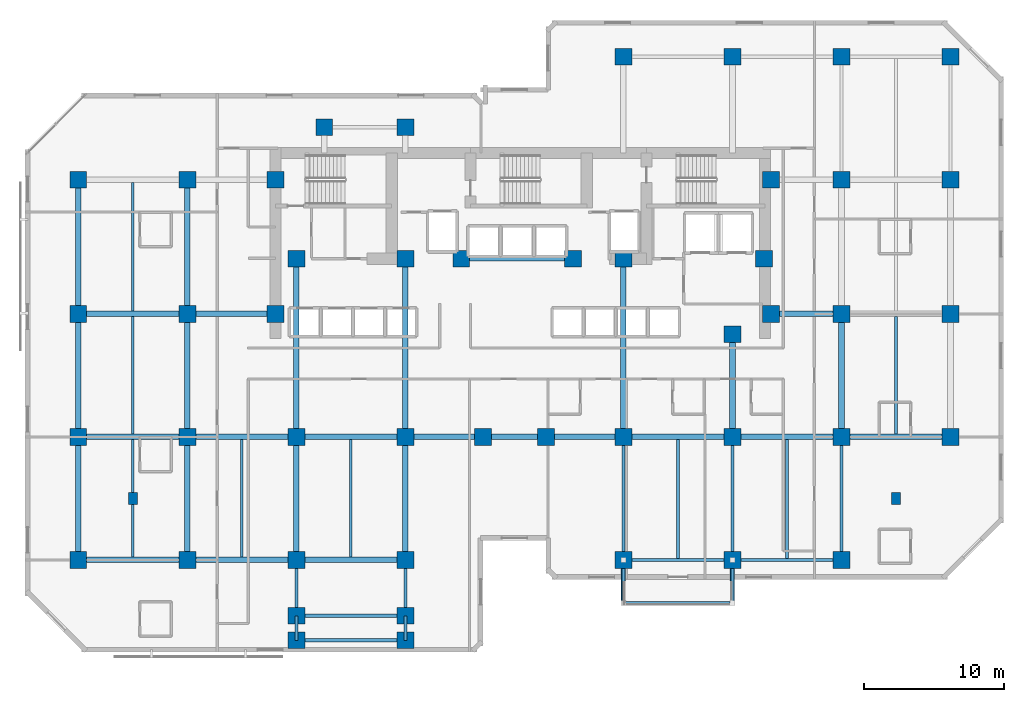
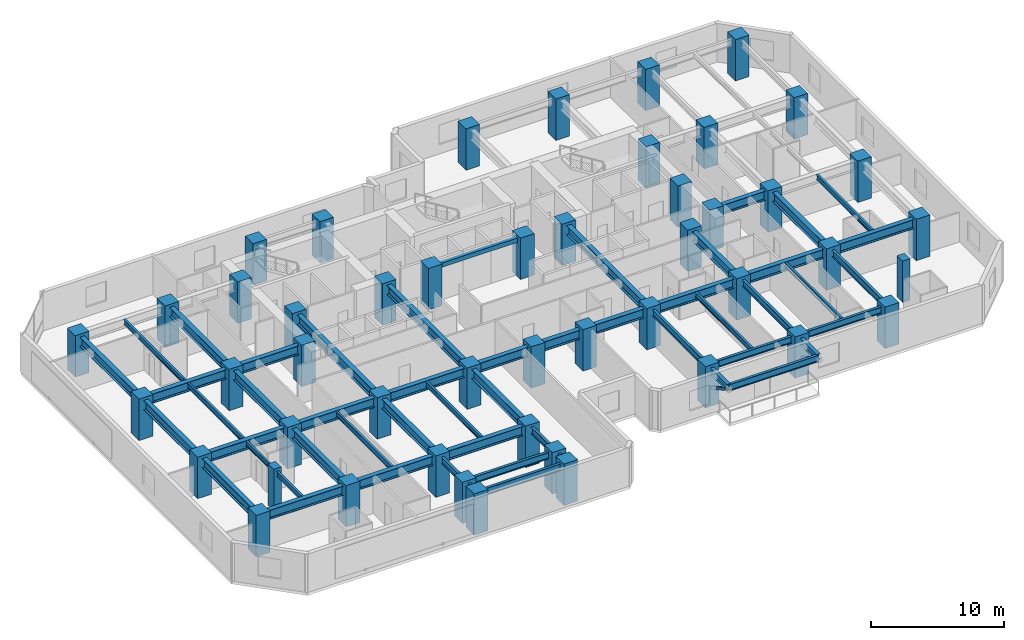
# One storey, part 1 of 12: 51 beams, 48 columns, 2 members.
"""IFC4 building model written with IfcOpenShell, lengths in metres."""

from ifc_helpers import new_model, si_unit, direction, frame, origin, origin_2d, place, context, subcontext, project, spatial, rectangle, hollow_rectangle, i_section, extrude, material, material_profile, profile_set, type_object, element, save


model = new_model("IFC4")

# Units and contexts
model_context = context("Model", 3, precision=1e-05, world=origin(), true_north=direction((0.0, 1.0)))
body_context = subcontext(model_context, "Body", "Model", "MODEL_VIEW")
ifc_project = project(units=[si_unit("LENGTHUNIT", "METRE"), si_unit("AREAUNIT", "SQUARE_METRE"), si_unit("VOLUMEUNIT", "CUBIC_METRE"), si_unit("PLANEANGLEUNIT", "RADIAN"), si_unit("MASSUNIT", "GRAM", prefix="KILO")], contexts=[model_context])

# Site, building, storey
site_placement = place(None, origin())
site = spatial("IfcSite", under=ifc_project, at=site_placement, CompositionType="ELEMENT")
building_placement = place(site_placement, origin())
building = spatial("IfcBuilding", under=site, at=building_placement, Name="Kestravale Grand Hotel", CompositionType="ELEMENT")
storey_placement = place(building_placement, frame((0.0, 0.0, 118.39990234375)))
storey = spatial("IfcBuildingStorey", under=building, at=storey_placement, Name="L29", CompositionType="ELEMENT", Elevation=118.39990234375)

# Columns
ifc_material_1 = material(Name="Precast concrete f'c 45 MPa", Category="concrete")
ifc_material_profile_1 = material_profile(ifc_material_1, rectangle(XDim=0.64990234375, YDim=0.85009765625, at=origin_2d()))
ifc_profile_set_1 = profile_set([ifc_material_profile_1], Name="Precast concrete f'c 45 MPa")
column_type_1 = type_object("IfcColumnType", Name="C-Z1-PIL850", PredefinedType="PILASTER", material=ifc_profile_set_1)
for number, where, z_axis, x_axis, name in (
    (1, (11.699951171875, 15.60009765625, 0.0), (0.0, 0.0, 1.0), (1.0, 0.0, 0.0), "L29 Art Deco fluted pilaster P1"),
    (2, (66.300048828125, 15.60009765625, 0.0), (0.0, 0.0, 1.0), (1.0, 0.0, 0.0), "L29 Art Deco fluted pilaster P2"),
):
    element("IfcColumn", number, at=place(storey_placement, frame(where, z_axis=z_axis, x_axis=x_axis)), inside=storey, type_object=column_type_1, Name=name, PredefinedType="PILASTER", context=body_context, shape_type="SweptSolid", body=[
        extrude(rectangle(XDim=0.64990234375, YDim=0.85009765625, at=origin_2d()), origin(), (0.0, 0.0, 1.0), 3.800048828125),
    ])
ifc_material_2 = material(Name="Concrete f'c 60 MPa", Category="concrete")
ifc_material_profile_2 = material_profile(ifc_material_2, rectangle(XDim=1.199951171875, YDim=1.199951171875, at=origin_2d()))
ifc_profile_set_2 = profile_set([ifc_material_profile_2], Name="Concrete f'c 60 MPa")
column_type_2 = type_object("IfcColumnType", Name="C-Z2-1200", PredefinedType="COLUMN", material=ifc_profile_set_2)
for number, where, z_axis, x_axis, name in (
    (3, (7.800048828125, 11.199951171875, 0.0), (0.0, 0.0, 1.0), (1.0, 0.0, 0.0), "L29 column 2-C"),
    (4, (7.800048828125, 20.0, 0.0), (0.0, 0.0, 1.0), (1.0, 0.0, 0.0), "L29 column 2-D"),
    (5, (7.800048828125, 28.800048828125, 0.0), (0.0, 0.0, 1.0), (1.0, 0.0, 0.0), "L29 column 2-E"),
    (6, (7.800048828125, 38.39990234375, 0.0), (0.0, 0.0, 1.0), (1.0, 0.0, 0.0), "L29 column 2-F"),
    (7, (15.60009765625, 11.199951171875, 0.0), (0.0, 0.0, 1.0), (1.0, 0.0, 0.0), "L29 column 3-C"),
    (8, (15.60009765625, 20.0, 0.0), (0.0, 0.0, 1.0), (1.0, 0.0, 0.0), "L29 column 3-D"),
    (9, (15.60009765625, 28.800048828125, 0.0), (0.0, 0.0, 1.0), (1.0, 0.0, 0.0), "L29 column 3-E"),
    (10, (15.60009765625, 38.39990234375, 0.0), (0.0, 0.0, 1.0), (1.0, 0.0, 0.0), "L29 column 3-F"),
    (11, (23.39990234375, 11.199951171875, 0.0), (0.0, 0.0, 1.0), (1.0, 0.0, 0.0), "L29 column 4-C"),
    (12, (23.39990234375, 20.0, 0.0), (0.0, 0.0, 1.0), (1.0, 0.0, 0.0), "L29 column 4-D"),
    (13, (31.199951171875, 11.199951171875, 0.0), (0.0, 0.0, 1.0), (1.0, 0.0, 0.0), "L29 column 5-C"),
    (14, (31.199951171875, 20.0, 0.0), (0.0, 0.0, 1.0), (1.0, 0.0, 0.0), "L29 column 5-D"),
    (15, (36.75, 20.0, 0.0), (0.0, 0.0, 1.0), (1.0, 0.0, 0.0), "L29 column 6-D"),
    (16, (41.25, 20.0, 0.0), (0.0, 0.0, 1.0), (1.0, 0.0, 0.0), "L29 column 7-D"),
    (17, (46.800048828125, 11.199951171875, 0.0), (0.0, 0.0, 1.0), (1.0, 0.0, 0.0), "L29 column 8-C"),
    (18, (46.800048828125, 20.0, 0.0), (0.0, 0.0, 1.0), (1.0, 0.0, 0.0), "L29 column 8-D"),
    (19, (46.800048828125, 47.199951171875, 0.0), (0.0, 0.0, 1.0), (1.0, 0.0, 0.0), "L29 column 8-G"),
    (20, (54.60009765625, 11.199951171875, 0.0), (0.0, 0.0, 1.0), (1.0, 0.0, 0.0), "L29 column 9-C"),
    (21, (54.60009765625, 20.0, 0.0), (0.0, 0.0, 1.0), (1.0, 0.0, 0.0), "L29 column 9-D"),
    (22, (54.60009765625, 47.199951171875, 0.0), (0.0, 0.0, 1.0), (1.0, 0.0, 0.0), "L29 column 9-G"),
    (23, (62.39990234375, 11.199951171875, 0.0), (0.0, 0.0, 1.0), (1.0, 0.0, 0.0), "L29 column 10-C"),
    (24, (62.39990234375, 20.0, 0.0), (0.0, 0.0, 1.0), (1.0, 0.0, 0.0), "L29 column 10-D"),
    (25, (62.39990234375, 28.800048828125, 0.0), (0.0, 0.0, 1.0), (1.0, 0.0, 0.0), "L29 column 10-E"),
    (26, (62.39990234375, 38.39990234375, 0.0), (0.0, 0.0, 1.0), (1.0, 0.0, 0.0), "L29 column 10-F"),
    (27, (62.39990234375, 47.199951171875, 0.0), (0.0, 0.0, 1.0), (1.0, 0.0, 0.0), "L29 column 10-G"),
    (28, (70.199951171875, 20.0, 0.0), (0.0, 0.0, 1.0), (1.0, 0.0, 0.0), "L29 column 11-D"),
    (29, (70.199951171875, 28.800048828125, 0.0), (0.0, 0.0, 1.0), (1.0, 0.0, 0.0), "L29 column 11-E"),
    (30, (70.199951171875, 38.39990234375, 0.0), (0.0, 0.0, 1.0), (1.0, 0.0, 0.0), "L29 column 11-F"),
    (31, (70.199951171875, 47.199951171875, 0.0), (0.0, 0.0, 1.0), (1.0, 0.0, 0.0), "L29 column 11-G"),
    (32, (21.89990234375, 28.800048828125, 0.0), (0.0, 0.0, 1.0), (1.0, 0.0, 0.0), "L29 column CW-E"),
    (33, (21.89990234375, 38.39990234375, 0.0), (0.0, 0.0, 1.0), (1.0, 0.0, 0.0), "L29 column CW-F"),
    (34, (57.35009765625, 28.800048828125, 0.0), (0.0, 0.0, 1.0), (1.0, 0.0, 0.0), "L29 column CE-E"),
    (35, (57.35009765625, 38.39990234375, 0.0), (0.0, 0.0, 1.0), (1.0, 0.0, 0.0), "L29 column CE-F"),
    (36, (23.39990234375, 32.75, 0.0), (0.0, 0.0, 1.0), (1.0, 0.0, 0.0), "L29 column 4-CS"),
    (37, (31.199951171875, 32.75, 0.0), (0.0, 0.0, 1.0), (1.0, 0.0, 0.0), "L29 column 5-CS"),
    (38, (35.199951171875, 32.75, 0.0), (0.0, 0.0, 1.0), (1.0, 0.0, 0.0), "L29 column 6C-CS"),
    (39, (43.199951171875, 32.75, 0.0), (0.0, 0.0, 1.0), (1.0, 0.0, 0.0), "L29 column 7C-CS"),
    (40, (46.800048828125, 32.75, 0.0), (0.0, 0.0, 1.0), (1.0, 0.0, 0.0), "L29 column 8-CS"),
    (41, (54.60009765625, 27.35009765625, 0.0), (0.0, 0.0, 1.0), (1.0, 0.0, 0.0), "L29 column 9-CS"),
    (42, (56.85009765625, 32.75, 0.0), (0.0, 0.0, 1.0), (1.0, 0.0, 0.0), "L29 column 9C-CS"),
    (43, (23.39990234375, 7.199951171875, 0.0), (0.0, 0.0, 1.0), (1.0, 0.0, 0.0), "L29 column 4-BS"),
    (44, (31.199951171875, 7.199951171875, 0.0), (0.0, 0.0, 1.0), (1.0, 0.0, 0.0), "L29 column 5-BS"),
    (45, (25.39990234375, 42.14990234375, 0.0), (0.0, 0.0, 1.0), (1.0, 0.0, 0.0), "L29 column 4-FN"),
    (46, (31.199951171875, 42.14990234375, 0.0), (0.0, 0.0, 1.0), (1.0, 0.0, 0.0), "L29 column 5-FN"),
    (47, (23.39990234375, 5.449951171875, 0.0), (0.0, 0.0, 1.0), (1.0, 0.0, 0.0), "L29 column 4-B1S"),
    (48, (31.199951171875, 5.449951171875, 0.0), (0.0, 0.0, 1.0), (1.0, 0.0, 0.0), "L29 column 5-B1S"),
):
    element("IfcColumn", number, at=place(storey_placement, frame(where, z_axis=z_axis, x_axis=x_axis)), inside=storey, type_object=column_type_2, Name=name, PredefinedType="COLUMN", context=body_context, shape_type="SweptSolid", body=[
        extrude(rectangle(XDim=1.199951171875, YDim=1.199951171875, at=origin_2d()), origin(), (0.0, 0.0, 1.0), 3.800048828125),
    ])

# Beams
ifc_material_3 = material(Name="Steel ASTM A992 Grade 50", Category="steel")
ifc_material_profile_3 = material_profile(ifc_material_3, i_section(OverallWidth=0.19091796875, OverallDepth=0.45703125, WebThickness=0.009033203125, FlangeThickness=0.014404296875, FilletRadius=0.015380859375, at=origin_2d()))
ifc_profile_set_3 = profile_set([ifc_material_profile_3], Name="Steel ASTM A992 Grade 50")
beam_type_1 = type_object("IfcBeamType", Name="B-FLR-JST18", PredefinedType="JOIST", material=ifc_profile_set_3)
for number, where, z_axis, x_axis, name in (
    (49, (11.699951171875, 11.400390625, 3.3115234375), (0.0, 1.0, 0.0), (-1.0, 0.0, 0.0), "L29 floor joist 2-3/C-D #1"),
    (50, (11.699951171875, 20.200439453125, 3.3115234375), (0.0, 1.0, 0.0), (-1.0, 0.0, 0.0), "L29 floor joist 2-3/D-E #1"),
):
    element("IfcBeam", number, at=place(storey_placement, frame(where, z_axis=z_axis, x_axis=x_axis)), inside=storey, type_object=beam_type_1, Name=name, PredefinedType="JOIST", context=body_context, shape_type="SweptSolid", body=[
        extrude(i_section(OverallWidth=0.19091796875, OverallDepth=0.45703125, WebThickness=0.009033203125, FlangeThickness=0.014404296875, FilletRadius=0.015380859375, at=origin_2d()), origin(), (0.0, 0.0, 1.0), 8.399169921875),
    ])
beam_1_placement = place(storey_placement, frame((11.699951171875, 29.00048828125, 3.3115234375), z_axis=(0.0, 1.0, 0.0), x_axis=(-1.0, 0.0, 0.0)))
element("IfcBeam", 51, at=beam_1_placement, inside=storey, type_object=beam_type_1, Name="L29 floor joist 2-3/E-F #1", PredefinedType="JOIST", context=body_context, shape_type="SweptSolid", body=[
    extrude(i_section(OverallWidth=0.19091796875, OverallDepth=0.45703125, WebThickness=0.009033203125, FlangeThickness=0.014404296875, FilletRadius=0.015380859375, at=origin_2d()), origin(), (0.0, 0.0, 1.0), 9.198974609375),
])
for number, where, z_axis, x_axis, name in (
    (52, (19.5, 11.400390625, 3.3115234375), (0.0, 1.0, 0.0), (-1.0, 0.0, 0.0), "L29 floor joist 3-4/C-D #1"),
    (53, (27.300048828125, 11.400390625, 3.3115234375), (0.0, 1.0, 0.0), (-1.0, 0.0, 0.0), "L29 floor joist 4-5/C-D #1"),
):
    element("IfcBeam", number, at=place(storey_placement, frame(where, z_axis=z_axis, x_axis=x_axis)), inside=storey, type_object=beam_type_1, Name=name, PredefinedType="JOIST", context=body_context, shape_type="SweptSolid", body=[
        extrude(i_section(OverallWidth=0.19091796875, OverallDepth=0.45703125, WebThickness=0.009033203125, FlangeThickness=0.014404296875, FilletRadius=0.015380859375, at=origin_2d()), origin(), (0.0, 0.0, 1.0), 8.399169921875),
    ])
for number, where, z_axis, x_axis, name in (
    (54, (50.699951171875, 11.314453125, 3.3115234375), (0.0, 1.0, 0.0), (-1.0, 0.0, 0.0), "L29 floor joist 8-9/C-D #1"),
    (55, (58.5, 11.314453125, 3.3115234375), (0.0, 1.0, 0.0), (-1.0, 0.0, 0.0), "L29 floor joist 9-10/C-D #1"),
):
    element("IfcBeam", number, at=place(storey_placement, frame(where, z_axis=z_axis, x_axis=x_axis)), inside=storey, type_object=beam_type_1, Name=name, PredefinedType="JOIST", context=body_context, shape_type="SweptSolid", body=[
        extrude(i_section(OverallWidth=0.19091796875, OverallDepth=0.45703125, WebThickness=0.009033203125, FlangeThickness=0.014404296875, FilletRadius=0.015380859375, at=origin_2d()), origin(), (0.0, 0.0, 1.0), 8.485107421875),
    ])
beam_2_placement = place(storey_placement, frame((66.300048828125, 20.200439453125, 3.3115234375), z_axis=(0.0, 1.0, 0.0), x_axis=(-1.0, 0.0, 0.0)))
element("IfcBeam", 56, at=beam_2_placement, inside=storey, type_object=beam_type_1, Name="L29 floor joist 10-11/D-E #1", PredefinedType="JOIST", context=body_context, shape_type="SweptSolid", body=[
    extrude(i_section(OverallWidth=0.19091796875, OverallDepth=0.45703125, WebThickness=0.009033203125, FlangeThickness=0.014404296875, FilletRadius=0.015380859375, at=origin_2d()), origin(), (0.0, 0.0, 1.0), 8.399169921875),
])
ifc_material_4 = material(Name="Concrete f'c 45 MPa", Category="concrete")
ifc_material_profile_4 = material_profile(ifc_material_4, rectangle(XDim=0.300048828125, YDim=0.39990234375, at=origin_2d()))
ifc_profile_set_4 = profile_set([ifc_material_profile_4], Name="Concrete f'c 45 MPa")
beam_type_2 = type_object("IfcBeamType", Name="B-FLR-LNT400", PredefinedType="LINTEL", material=ifc_profile_set_4)
beam_3_placement = place(storey_placement, frame((35.199951171875, 32.75, 3.340087890625), z_axis=(1.0, 0.0, 0.0), x_axis=(0.0, 1.0, 0.0)))
element("IfcBeam", 57, at=beam_3_placement, inside=storey, type_object=beam_type_2, Name="L29 core portal header lintel", PredefinedType="LINTEL", context=body_context, shape_type="SweptSolid", body=[
    extrude(rectangle(XDim=0.300048828125, YDim=0.39990234375, at=origin_2d()), origin(), (0.0, 0.0, 1.0), 8.0),
])
ifc_material_5 = material(Name="Steel ASTM A992 Grade 50", Category="steel")
ifc_material_profile_5 = material_profile(ifc_material_5, i_section(OverallWidth=0.324951171875, OverallDepth=0.612060546875, WebThickness=0.0126953125, FlangeThickness=0.01904296875, FilletRadius=0.018798828125, at=origin_2d()))
ifc_profile_set_5 = profile_set([ifc_material_profile_5], Name="Steel ASTM A992 Grade 50")
beam_type_3 = type_object("IfcBeamType", Name="B-FLR-W24A", PredefinedType="SPANDREL", material=ifc_profile_set_5)
for number, where, z_axis, x_axis, name in (
    (58, (46.800048828125, 11.199951171875, 3.22412109375), (0.0, -1.0, 0.0), (1.0, 0.0, 0.0), "L30 terrace cantilever beam 1"),
    (59, (54.60009765625, 11.199951171875, 3.22412109375), (0.0, -1.0, 0.0), (1.0, 0.0, 0.0), "L30 terrace cantilever beam 2"),
):
    element("IfcBeam", number, at=place(storey_placement, frame(where, z_axis=z_axis, x_axis=x_axis)), inside=storey, type_object=beam_type_3, Name=name, PredefinedType="SPANDREL", context=body_context, shape_type="SweptSolid", body=[
        extrude(i_section(OverallWidth=0.324951171875, OverallDepth=0.612060546875, WebThickness=0.0126953125, FlangeThickness=0.01904296875, FilletRadius=0.018798828125, at=origin_2d()), origin(), (0.0, 0.0, 1.0), 3.099853515625),
    ])
ifc_material_6 = material(Name="Steel ASTM A992 Grade 50", Category="steel")
ifc_material_profile_6 = material_profile(ifc_material_6, i_section(OverallWidth=0.22900390625, OverallDepth=0.612060546875, WebThickness=0.011962890625, FlangeThickness=0.01953125, FilletRadius=0.019287109375, at=origin_2d()))
ifc_profile_set_6 = profile_set([ifc_material_profile_6], Name="Steel ASTM A992 Grade 50")
beam_type_4 = type_object("IfcBeamType", Name="B-FLR-W24B", PredefinedType="SPANDREL", material=ifc_profile_set_6)
beam_4_placement = place(storey_placement, frame((46.800048828125, 11.199951171875, 3.234130859375), z_axis=(1.0, 0.0, 0.0), x_axis=(0.0, 1.0, 0.0)))
element("IfcBeam", 60, at=beam_4_placement, inside=storey, type_object=beam_type_4, Name="L29 spandrel C:8-9", PredefinedType="SPANDREL", context=body_context, shape_type="SweptSolid", body=[
    extrude(i_section(OverallWidth=0.22900390625, OverallDepth=0.612060546875, WebThickness=0.011962890625, FlangeThickness=0.01953125, FilletRadius=0.019287109375, at=origin_2d()), origin(), (0.0, 0.0, 1.0), 7.800048828125),
])
beam_5_placement = place(storey_placement, frame((54.60009765625, 11.199951171875, 3.234130859375), z_axis=(1.0, 0.0, 0.0), x_axis=(0.0, 1.0, 0.0)))
element("IfcBeam", 61, at=beam_5_placement, inside=storey, type_object=beam_type_4, Name="L29 spandrel C:9-10", PredefinedType="SPANDREL", context=body_context, shape_type="SweptSolid", body=[
    extrude(i_section(OverallWidth=0.22900390625, OverallDepth=0.612060546875, WebThickness=0.011962890625, FlangeThickness=0.01953125, FilletRadius=0.019287109375, at=origin_2d()), origin(), (0.0, 0.0, 1.0), 7.7998046875),
])
for number, where, z_axis, x_axis, name in (
    (62, (23.39990234375, 5.449951171875, 3.234130859375), (1.0, 0.0, 0.0), (0.0, 1.0, 0.0), "L29 perimeter tie spandrel B1S:4-5"),
    (63, (23.39990234375, 7.199951171875, 3.234130859375), (1.0, 0.0, 0.0), (0.0, 1.0, 0.0), "L29 perimeter tie spandrel BS:4-5"),
):
    element("IfcBeam", number, at=place(storey_placement, frame(where, z_axis=z_axis, x_axis=x_axis)), inside=storey, type_object=beam_type_4, Name=name, PredefinedType="SPANDREL", context=body_context, shape_type="SweptSolid", body=[
        extrude(i_section(OverallWidth=0.22900390625, OverallDepth=0.612060546875, WebThickness=0.011962890625, FlangeThickness=0.01953125, FilletRadius=0.019287109375, at=origin_2d()), origin(), (0.0, 0.0, 1.0), 7.800048828125),
    ])
beam_6_placement = place(storey_placement, frame((23.39990234375, 5.449951171875, 3.234130859375), z_axis=(0.0, 1.0, 0.0), x_axis=(-1.0, 0.0, 0.0)))
element("IfcBeam", 64, at=beam_6_placement, inside=storey, type_object=beam_type_4, Name="L29 spandrel 4:B1S-BS", PredefinedType="SPANDREL", context=body_context, shape_type="SweptSolid", body=[
    extrude(i_section(OverallWidth=0.22900390625, OverallDepth=0.612060546875, WebThickness=0.011962890625, FlangeThickness=0.01953125, FilletRadius=0.019287109375, at=origin_2d()), origin(), (0.0, 0.0, 1.0), 1.75),
])
beam_7_placement = place(storey_placement, frame((23.39990234375, 7.199951171875, 3.234130859375), z_axis=(0.0, 1.0, 0.0), x_axis=(-1.0, 0.0, 0.0)))
element("IfcBeam", 65, at=beam_7_placement, inside=storey, type_object=beam_type_4, Name="L29 spandrel 4:BS-C", PredefinedType="SPANDREL", context=body_context, shape_type="SweptSolid", body=[
    extrude(i_section(OverallWidth=0.22900390625, OverallDepth=0.612060546875, WebThickness=0.011962890625, FlangeThickness=0.01953125, FilletRadius=0.019287109375, at=origin_2d()), origin(), (0.0, 0.0, 1.0), 4.0),
])
beam_8_placement = place(storey_placement, frame((31.199951171875, 5.449951171875, 3.234130859375), z_axis=(0.0, 1.0, 0.0), x_axis=(-1.0, 0.0, 0.0)))
element("IfcBeam", 66, at=beam_8_placement, inside=storey, type_object=beam_type_4, Name="L29 spandrel 5:B1S-BS", PredefinedType="SPANDREL", context=body_context, shape_type="SweptSolid", body=[
    extrude(i_section(OverallWidth=0.22900390625, OverallDepth=0.612060546875, WebThickness=0.011962890625, FlangeThickness=0.01953125, FilletRadius=0.019287109375, at=origin_2d()), origin(), (0.0, 0.0, 1.0), 1.75),
])
beam_9_placement = place(storey_placement, frame((31.199951171875, 7.199951171875, 3.234130859375), z_axis=(0.0, 1.0, 0.0), x_axis=(-1.0, 0.0, 0.0)))
element("IfcBeam", 67, at=beam_9_placement, inside=storey, type_object=beam_type_4, Name="L29 spandrel 5:BS-C", PredefinedType="SPANDREL", context=body_context, shape_type="SweptSolid", body=[
    extrude(i_section(OverallWidth=0.22900390625, OverallDepth=0.612060546875, WebThickness=0.011962890625, FlangeThickness=0.01953125, FilletRadius=0.019287109375, at=origin_2d()), origin(), (0.0, 0.0, 1.0), 4.0),
])
for number, where, z_axis, x_axis, name in (
    (68, (46.800048828125, 11.199951171875, 3.234130859375), (0.0, 1.0, 0.0), (-1.0, 0.0, 0.0), "L29 spandrel 8:C-D"),
    (69, (54.60009765625, 11.199951171875, 3.234130859375), (0.0, 1.0, 0.0), (-1.0, 0.0, 0.0), "L29 spandrel 9:C-D"),
    (70, (62.39990234375, 11.199951171875, 3.234130859375), (0.0, 1.0, 0.0), (-1.0, 0.0, 0.0), "L29 spandrel 10:C-D"),
):
    element("IfcBeam", number, at=place(storey_placement, frame(where, z_axis=z_axis, x_axis=x_axis)), inside=storey, type_object=beam_type_4, Name=name, PredefinedType="SPANDREL", context=body_context, shape_type="SweptSolid", body=[
        extrude(i_section(OverallWidth=0.22900390625, OverallDepth=0.612060546875, WebThickness=0.011962890625, FlangeThickness=0.01953125, FilletRadius=0.019287109375, at=origin_2d()), origin(), (0.0, 0.0, 1.0), 8.800048828125),
    ])
beam_10_placement = place(storey_placement, frame((46.800048828125, 8.10009765625, 3.22412109375), z_axis=(1.0, 0.0, 0.0), x_axis=(0.0, 1.0, 0.0)))
element("IfcBeam", 71, at=beam_10_placement, inside=storey, type_object=beam_type_4, Name="L30 terrace edge spandrel", PredefinedType="SPANDREL", context=body_context, shape_type="SweptSolid", body=[
    extrude(i_section(OverallWidth=0.22900390625, OverallDepth=0.612060546875, WebThickness=0.011962890625, FlangeThickness=0.01953125, FilletRadius=0.019287109375, at=origin_2d()), origin(), (0.0, 0.0, 1.0), 7.800048828125),
])
ifc_material_7 = material(Name="Steel ASTM A992 Grade 50", Category="steel")
ifc_material_profile_7 = material_profile(ifc_material_7, i_section(OverallWidth=0.40087890625, OverallDepth=0.861083984375, WebThickness=0.019775390625, FlangeThickness=0.032470703125, FilletRadius=0.0234375, at=origin_2d()))
ifc_profile_set_7 = profile_set([ifc_material_profile_7], Name="Steel ASTM A992 Grade 50")
beam_type_5 = type_object("IfcBeamType", Name="B-GRD-W33", PredefinedType="BEAM", material=ifc_profile_set_7)
beam_11_placement = place(storey_placement, frame((7.800048828125, 11.199951171875, 3.109619140625), z_axis=(1.0, 0.0, 0.0), x_axis=(0.0, 1.0, 0.0)))
element("IfcBeam", 72, at=beam_11_placement, inside=storey, type_object=beam_type_5, Name="L29 girder C:2-3", PredefinedType="BEAM", context=body_context, shape_type="SweptSolid", body=[
    extrude(i_section(OverallWidth=0.40087890625, OverallDepth=0.861083984375, WebThickness=0.019775390625, FlangeThickness=0.032470703125, FilletRadius=0.0234375, at=origin_2d()), origin(), (0.0, 0.0, 1.0), 7.800048828125),
])
beam_12_placement = place(storey_placement, frame((15.60009765625, 11.199951171875, 3.109619140625), z_axis=(1.0, 0.0, 0.0), x_axis=(0.0, 1.0, 0.0)))
element("IfcBeam", 73, at=beam_12_placement, inside=storey, type_object=beam_type_5, Name="L29 girder C:3-4", PredefinedType="BEAM", context=body_context, shape_type="SweptSolid", body=[
    extrude(i_section(OverallWidth=0.40087890625, OverallDepth=0.861083984375, WebThickness=0.019775390625, FlangeThickness=0.032470703125, FilletRadius=0.0234375, at=origin_2d()), origin(), (0.0, 0.0, 1.0), 7.7998046875),
])
for number, where, z_axis, x_axis, name in (
    (74, (23.39990234375, 11.199951171875, 3.109619140625), (1.0, 0.0, 0.0), (0.0, 1.0, 0.0), "L29 girder C:4-5"),
    (75, (7.800048828125, 20.0, 3.109619140625), (1.0, 0.0, 0.0), (0.0, 1.0, 0.0), "L29 girder D:2-3"),
):
    element("IfcBeam", number, at=place(storey_placement, frame(where, z_axis=z_axis, x_axis=x_axis)), inside=storey, type_object=beam_type_5, Name=name, PredefinedType="BEAM", context=body_context, shape_type="SweptSolid", body=[
        extrude(i_section(OverallWidth=0.40087890625, OverallDepth=0.861083984375, WebThickness=0.019775390625, FlangeThickness=0.032470703125, FilletRadius=0.0234375, at=origin_2d()), origin(), (0.0, 0.0, 1.0), 7.800048828125),
    ])
beam_13_placement = place(storey_placement, frame((15.60009765625, 20.0, 3.109619140625), z_axis=(1.0, 0.0, 0.0), x_axis=(0.0, 1.0, 0.0)))
element("IfcBeam", 76, at=beam_13_placement, inside=storey, type_object=beam_type_5, Name="L29 girder D:3-4", PredefinedType="BEAM", context=body_context, shape_type="SweptSolid", body=[
    extrude(i_section(OverallWidth=0.40087890625, OverallDepth=0.861083984375, WebThickness=0.019775390625, FlangeThickness=0.032470703125, FilletRadius=0.0234375, at=origin_2d()), origin(), (0.0, 0.0, 1.0), 7.7998046875),
])
beam_14_placement = place(storey_placement, frame((23.39990234375, 20.0, 3.109619140625), z_axis=(1.0, 0.0, 0.0), x_axis=(0.0, 1.0, 0.0)))
element("IfcBeam", 77, at=beam_14_placement, inside=storey, type_object=beam_type_5, Name="L29 girder D:4-5", PredefinedType="BEAM", context=body_context, shape_type="SweptSolid", body=[
    extrude(i_section(OverallWidth=0.40087890625, OverallDepth=0.861083984375, WebThickness=0.019775390625, FlangeThickness=0.032470703125, FilletRadius=0.0234375, at=origin_2d()), origin(), (0.0, 0.0, 1.0), 7.800048828125),
])
beam_15_placement = place(storey_placement, frame((31.199951171875, 20.0, 3.109619140625), z_axis=(1.0, 0.0, 0.0), x_axis=(0.0, 1.0, 0.0)))
element("IfcBeam", 78, at=beam_15_placement, inside=storey, type_object=beam_type_5, Name="L29 girder D:5-6", PredefinedType="BEAM", context=body_context, shape_type="SweptSolid", body=[
    extrude(i_section(OverallWidth=0.40087890625, OverallDepth=0.861083984375, WebThickness=0.019775390625, FlangeThickness=0.032470703125, FilletRadius=0.0234375, at=origin_2d()), origin(), (0.0, 0.0, 1.0), 5.550048828125),
])
beam_16_placement = place(storey_placement, frame((36.75, 20.0, 3.109619140625), z_axis=(1.0, 0.0, 0.0), x_axis=(0.0, 1.0, 0.0)))
element("IfcBeam", 79, at=beam_16_placement, inside=storey, type_object=beam_type_5, Name="L29 girder D:6-7", PredefinedType="BEAM", context=body_context, shape_type="SweptSolid", body=[
    extrude(i_section(OverallWidth=0.40087890625, OverallDepth=0.861083984375, WebThickness=0.019775390625, FlangeThickness=0.032470703125, FilletRadius=0.0234375, at=origin_2d()), origin(), (0.0, 0.0, 1.0), 4.5),
])
beam_17_placement = place(storey_placement, frame((41.25, 20.0, 3.109619140625), z_axis=(1.0, 0.0, 0.0), x_axis=(0.0, 1.0, 0.0)))
element("IfcBeam", 80, at=beam_17_placement, inside=storey, type_object=beam_type_5, Name="L29 girder D:7-8", PredefinedType="BEAM", context=body_context, shape_type="SweptSolid", body=[
    extrude(i_section(OverallWidth=0.40087890625, OverallDepth=0.861083984375, WebThickness=0.019775390625, FlangeThickness=0.032470703125, FilletRadius=0.0234375, at=origin_2d()), origin(), (0.0, 0.0, 1.0), 5.550048828125),
])
beam_18_placement = place(storey_placement, frame((46.800048828125, 20.0, 3.109619140625), z_axis=(1.0, 0.0, 0.0), x_axis=(0.0, 1.0, 0.0)))
element("IfcBeam", 81, at=beam_18_placement, inside=storey, type_object=beam_type_5, Name="L29 girder D:8-9", PredefinedType="BEAM", context=body_context, shape_type="SweptSolid", body=[
    extrude(i_section(OverallWidth=0.40087890625, OverallDepth=0.861083984375, WebThickness=0.019775390625, FlangeThickness=0.032470703125, FilletRadius=0.0234375, at=origin_2d()), origin(), (0.0, 0.0, 1.0), 7.800048828125),
])
beam_19_placement = place(storey_placement, frame((54.60009765625, 20.0, 3.109619140625), z_axis=(1.0, 0.0, 0.0), x_axis=(0.0, 1.0, 0.0)))
element("IfcBeam", 82, at=beam_19_placement, inside=storey, type_object=beam_type_5, Name="L29 girder D:9-10", PredefinedType="BEAM", context=body_context, shape_type="SweptSolid", body=[
    extrude(i_section(OverallWidth=0.40087890625, OverallDepth=0.861083984375, WebThickness=0.019775390625, FlangeThickness=0.032470703125, FilletRadius=0.0234375, at=origin_2d()), origin(), (0.0, 0.0, 1.0), 7.7998046875),
])
for number, where, z_axis, x_axis, name in (
    (83, (62.39990234375, 20.0, 3.109619140625), (1.0, 0.0, 0.0), (0.0, 1.0, 0.0), "L29 girder D:10-11"),
    (84, (7.800048828125, 28.800048828125, 3.109619140625), (1.0, 0.0, 0.0), (0.0, 1.0, 0.0), "L29 girder E:2-3"),
):
    element("IfcBeam", number, at=place(storey_placement, frame(where, z_axis=z_axis, x_axis=x_axis)), inside=storey, type_object=beam_type_5, Name=name, PredefinedType="BEAM", context=body_context, shape_type="SweptSolid", body=[
        extrude(i_section(OverallWidth=0.40087890625, OverallDepth=0.861083984375, WebThickness=0.019775390625, FlangeThickness=0.032470703125, FilletRadius=0.0234375, at=origin_2d()), origin(), (0.0, 0.0, 1.0), 7.800048828125),
    ])
beam_20_placement = place(storey_placement, frame((15.60009765625, 28.800048828125, 3.109619140625), z_axis=(1.0, 0.0, 0.0), x_axis=(0.0, 1.0, 0.0)))
element("IfcBeam", 85, at=beam_20_placement, inside=storey, type_object=beam_type_5, Name="L29 girder E:3-CW", PredefinedType="BEAM", context=body_context, shape_type="SweptSolid", body=[
    extrude(i_section(OverallWidth=0.40087890625, OverallDepth=0.861083984375, WebThickness=0.019775390625, FlangeThickness=0.032470703125, FilletRadius=0.0234375, at=origin_2d()), origin(), (0.0, 0.0, 1.0), 6.2998046875),
])
beam_21_placement = place(storey_placement, frame((57.35009765625, 28.800048828125, 3.109619140625), z_axis=(1.0, 0.0, 0.0), x_axis=(0.0, 1.0, 0.0)))
element("IfcBeam", 86, at=beam_21_placement, inside=storey, type_object=beam_type_5, Name="L29 girder E:CE-10", PredefinedType="BEAM", context=body_context, shape_type="SweptSolid", body=[
    extrude(i_section(OverallWidth=0.40087890625, OverallDepth=0.861083984375, WebThickness=0.019775390625, FlangeThickness=0.032470703125, FilletRadius=0.0234375, at=origin_2d()), origin(), (0.0, 0.0, 1.0), 5.0498046875),
])
for number, where, z_axis, x_axis, name in (
    (87, (7.800048828125, 11.199951171875, 3.109619140625), (0.0, 1.0, 0.0), (-1.0, 0.0, 0.0), "L29 girder 2:C-D"),
    (88, (7.800048828125, 20.0, 3.109619140625), (0.0, 1.0, 0.0), (-1.0, 0.0, 0.0), "L29 girder 2:D-E"),
):
    element("IfcBeam", number, at=place(storey_placement, frame(where, z_axis=z_axis, x_axis=x_axis)), inside=storey, type_object=beam_type_5, Name=name, PredefinedType="BEAM", context=body_context, shape_type="SweptSolid", body=[
        extrude(i_section(OverallWidth=0.40087890625, OverallDepth=0.861083984375, WebThickness=0.019775390625, FlangeThickness=0.032470703125, FilletRadius=0.0234375, at=origin_2d()), origin(), (0.0, 0.0, 1.0), 8.800048828125),
    ])
beam_22_placement = place(storey_placement, frame((7.800048828125, 28.800048828125, 3.109619140625), z_axis=(0.0, 1.0, 0.0), x_axis=(-1.0, 0.0, 0.0)))
element("IfcBeam", 89, at=beam_22_placement, inside=storey, type_object=beam_type_5, Name="L29 girder 2:E-F", PredefinedType="BEAM", context=body_context, shape_type="SweptSolid", body=[
    extrude(i_section(OverallWidth=0.40087890625, OverallDepth=0.861083984375, WebThickness=0.019775390625, FlangeThickness=0.032470703125, FilletRadius=0.0234375, at=origin_2d()), origin(), (0.0, 0.0, 1.0), 9.599853515625),
])
for number, where, z_axis, x_axis, name in (
    (90, (15.60009765625, 11.199951171875, 3.109619140625), (0.0, 1.0, 0.0), (-1.0, 0.0, 0.0), "L29 girder 3:C-D"),
    (91, (15.60009765625, 20.0, 3.109619140625), (0.0, 1.0, 0.0), (-1.0, 0.0, 0.0), "L29 girder 3:D-E"),
):
    element("IfcBeam", number, at=place(storey_placement, frame(where, z_axis=z_axis, x_axis=x_axis)), inside=storey, type_object=beam_type_5, Name=name, PredefinedType="BEAM", context=body_context, shape_type="SweptSolid", body=[
        extrude(i_section(OverallWidth=0.40087890625, OverallDepth=0.861083984375, WebThickness=0.019775390625, FlangeThickness=0.032470703125, FilletRadius=0.0234375, at=origin_2d()), origin(), (0.0, 0.0, 1.0), 8.800048828125),
    ])
beam_23_placement = place(storey_placement, frame((15.60009765625, 28.800048828125, 3.109619140625), z_axis=(0.0, 1.0, 0.0), x_axis=(-1.0, 0.0, 0.0)))
element("IfcBeam", 92, at=beam_23_placement, inside=storey, type_object=beam_type_5, Name="L29 girder 3:E-F", PredefinedType="BEAM", context=body_context, shape_type="SweptSolid", body=[
    extrude(i_section(OverallWidth=0.40087890625, OverallDepth=0.861083984375, WebThickness=0.019775390625, FlangeThickness=0.032470703125, FilletRadius=0.0234375, at=origin_2d()), origin(), (0.0, 0.0, 1.0), 9.599853515625),
])
beam_24_placement = place(storey_placement, frame((23.39990234375, 11.199951171875, 3.109619140625), z_axis=(0.0, 1.0, 0.0), x_axis=(-1.0, 0.0, 0.0)))
element("IfcBeam", 93, at=beam_24_placement, inside=storey, type_object=beam_type_5, Name="L29 girder 4:C-D", PredefinedType="BEAM", context=body_context, shape_type="SweptSolid", body=[
    extrude(i_section(OverallWidth=0.40087890625, OverallDepth=0.861083984375, WebThickness=0.019775390625, FlangeThickness=0.032470703125, FilletRadius=0.0234375, at=origin_2d()), origin(), (0.0, 0.0, 1.0), 8.800048828125),
])
beam_25_placement = place(storey_placement, frame((23.39990234375, 20.0, 3.109619140625), z_axis=(0.0, 1.0, 0.0), x_axis=(-1.0, 0.0, 0.0)))
element("IfcBeam", 94, at=beam_25_placement, inside=storey, type_object=beam_type_5, Name="L29 girder 4:D-CS", PredefinedType="BEAM", context=body_context, shape_type="SweptSolid", body=[
    extrude(i_section(OverallWidth=0.40087890625, OverallDepth=0.861083984375, WebThickness=0.019775390625, FlangeThickness=0.032470703125, FilletRadius=0.0234375, at=origin_2d()), origin(), (0.0, 0.0, 1.0), 12.75),
])
beam_26_placement = place(storey_placement, frame((31.199951171875, 11.199951171875, 3.109619140625), z_axis=(0.0, 1.0, 0.0), x_axis=(-1.0, 0.0, 0.0)))
element("IfcBeam", 95, at=beam_26_placement, inside=storey, type_object=beam_type_5, Name="L29 girder 5:C-D", PredefinedType="BEAM", context=body_context, shape_type="SweptSolid", body=[
    extrude(i_section(OverallWidth=0.40087890625, OverallDepth=0.861083984375, WebThickness=0.019775390625, FlangeThickness=0.032470703125, FilletRadius=0.0234375, at=origin_2d()), origin(), (0.0, 0.0, 1.0), 8.800048828125),
])
for number, where, z_axis, x_axis, name in (
    (96, (31.199951171875, 20.0, 3.109619140625), (0.0, 1.0, 0.0), (-1.0, 0.0, 0.0), "L29 girder 5:D-CS"),
    (97, (46.800048828125, 20.0, 3.109619140625), (0.0, 1.0, 0.0), (-1.0, 0.0, 0.0), "L29 girder 8:D-CS"),
):
    element("IfcBeam", number, at=place(storey_placement, frame(where, z_axis=z_axis, x_axis=x_axis)), inside=storey, type_object=beam_type_5, Name=name, PredefinedType="BEAM", context=body_context, shape_type="SweptSolid", body=[
        extrude(i_section(OverallWidth=0.40087890625, OverallDepth=0.861083984375, WebThickness=0.019775390625, FlangeThickness=0.032470703125, FilletRadius=0.0234375, at=origin_2d()), origin(), (0.0, 0.0, 1.0), 12.75),
    ])
beam_27_placement = place(storey_placement, frame((54.60009765625, 20.0, 3.109619140625), z_axis=(0.0, 1.0, 0.0), x_axis=(-1.0, 0.0, 0.0)))
element("IfcBeam", 98, at=beam_27_placement, inside=storey, type_object=beam_type_5, Name="L29 girder 9:D-CS", PredefinedType="BEAM", context=body_context, shape_type="SweptSolid", body=[
    extrude(i_section(OverallWidth=0.40087890625, OverallDepth=0.861083984375, WebThickness=0.019775390625, FlangeThickness=0.032470703125, FilletRadius=0.0234375, at=origin_2d()), origin(), (0.0, 0.0, 1.0), 7.35009765625),
])
beam_28_placement = place(storey_placement, frame((62.39990234375, 20.0, 3.109619140625), z_axis=(0.0, 1.0, 0.0), x_axis=(-1.0, 0.0, 0.0)))
element("IfcBeam", 99, at=beam_28_placement, inside=storey, type_object=beam_type_5, Name="L29 girder 10:D-E", PredefinedType="BEAM", context=body_context, shape_type="SweptSolid", body=[
    extrude(i_section(OverallWidth=0.40087890625, OverallDepth=0.861083984375, WebThickness=0.019775390625, FlangeThickness=0.032470703125, FilletRadius=0.0234375, at=origin_2d()), origin(), (0.0, 0.0, 1.0), 8.800048828125),
])

# Members
ifc_material_8 = material(Name="Steel ASTM A500 Grade C", Category="steel")
ifc_material_profile_8 = material_profile(ifc_material_8, hollow_rectangle(XDim=0.25, YDim=0.25, WallThickness=0.011962890625, InnerFilletRadius=0.011962890625, OuterFilletRadius=0.02392578125, at=origin_2d()))
ifc_profile_set_8 = profile_set([ifc_material_profile_8], Name="Steel ASTM A500 Grade C")
member_type = type_object("IfcMemberType", Name="M-BLT-STR250", PredefinedType="STRUT", material=ifc_profile_set_8)
for number, where, z_axis, x_axis, name in (
    (100, (46.800048828125, 11.199951171875, 1.3740234375), (0.0, -0.876779536885, 0.480892549017), (1.0, 0.0, 0.0), "L30 terrace knee-brace strut 1"),
    (101, (54.60009765625, 11.199951171875, 1.3740234375), (0.0, -0.876779536885, 0.480892549017), (1.0, 0.0, 0.0), "L30 terrace knee-brace strut 2"),
):
    element("IfcMember", number, at=place(storey_placement, frame(where, z_axis=z_axis, x_axis=x_axis)), inside=storey, type_object=member_type, Name=name, PredefinedType="STRUT", context=body_context, shape_type="SweptSolid", body=[
        extrude(hollow_rectangle(XDim=0.25, YDim=0.25, WallThickness=0.011962890625, InnerFilletRadius=0.011962890625, OuterFilletRadius=0.02392578125, at=origin_2d()), origin(), (0.0, 0.0, 1.0), 3.535400390625),
    ])

save(model, "model.ifc")
